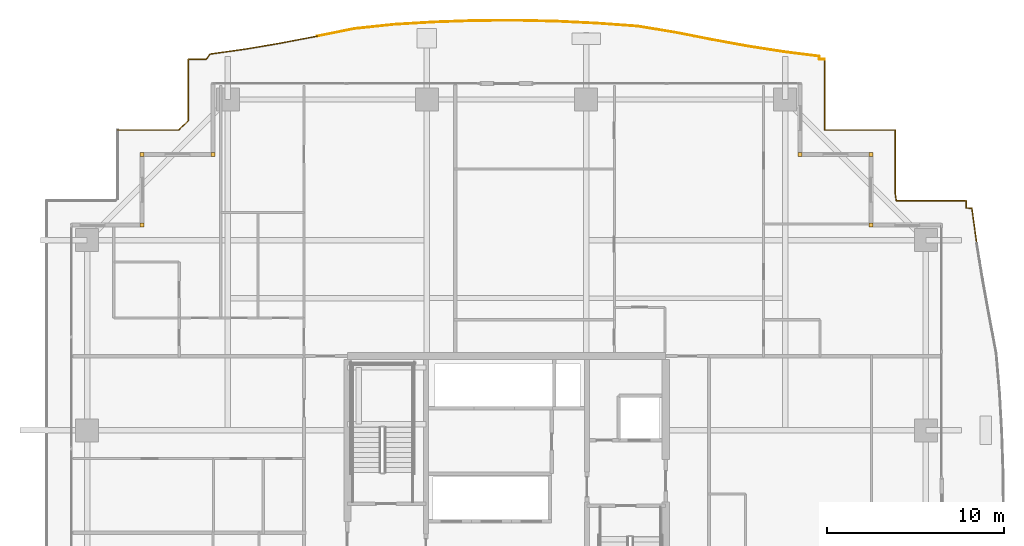
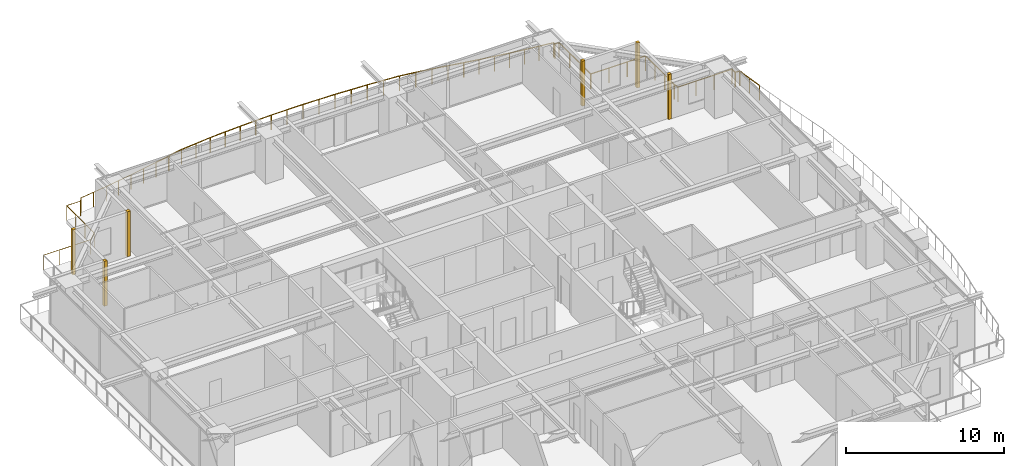
# One storey, part 33 of 33: 6 coverings, 4 railings.
"""IFC4 building model written with IfcOpenShell, lengths in metres."""

from ifc_helpers import new_model, si_unit, direction, frame, origin, origin_2d, place, context, subcontext, project, spatial, rectangle, circle, extrude, source, transform, mapped, material, layer, layer_set, type_object, element, save


model = new_model("IFC4")

# Units and contexts
model_context = context("Model", 3, precision=1e-05, world=origin(), true_north=direction((0.0, 1.0)))
body_context = subcontext(model_context, "Body", "Model", "MODEL_VIEW")
ifc_project = project(units=[si_unit("LENGTHUNIT", "METRE"), si_unit("AREAUNIT", "SQUARE_METRE"), si_unit("VOLUMEUNIT", "CUBIC_METRE"), si_unit("PLANEANGLEUNIT", "RADIAN"), si_unit("MASSUNIT", "GRAM", prefix="KILO")], contexts=[model_context])

# Site, building, storey
site_placement = place(None, origin())
site = spatial("IfcSite", under=ifc_project, at=site_placement, CompositionType="ELEMENT")
building_placement = place(site_placement, origin())
building = spatial("IfcBuilding", under=site, at=building_placement, Name="Serunith Strait Residences", CompositionType="ELEMENT")
storey_placement = place(building_placement, frame((0.0, 0.0, 165.14990234375)))
storey = spatial("IfcBuildingStorey", under=building, at=storey_placement, Name="L41", CompositionType="ELEMENT", Elevation=165.14990234375)

# Railings
ifc_material_1 = material(Name="Stainless Steel & Laminated Glass Balustrade", Category="steel")
railing_type = type_object("IfcRailingType", Name="RLG-BALC-1150", PredefinedType="BALUSTRADE", material=ifc_material_1)
railing_1_placement = place(storey_placement, frame((10.419921875, 46.3798828125, -0.0498046875)))
element("IfcRailing", 1, at=railing_1_placement, inside=storey, type_object=railing_type, Name="L41 Swirling Balcony Perimeter Balustrade 1", PredefinedType="BALUSTRADE", context=body_context, shape_type="SweptSolid", body=[
    extrude(circle(Radius=0.02392578125, at=origin_2d()), frame((0.001953125, 0.0, 1.1259765625), z_axis=(1.0, 0.0, 0.0), x_axis=(0.0, 1.0, 0.0)), (0.0, 0.0, 1.0), 3.44775390625),
    extrude(circle(Radius=0.02392578125, at=origin_2d()), frame((3.453125, 0.00146484375, 1.1259765625), z_axis=(0.719809979526, 0.694171155678, 0.0), x_axis=(-0.694171155678, 0.719809979526, 0.0)), (0.0, 0.0, 1.0), 0.7578125),
    extrude(circle(Radius=0.02392578125, at=origin_2d()), frame((4.0, 0.53076171875, 1.1259765625), z_axis=(0.0, 1.0, 0.0), x_axis=(-1.0, 0.0, 0.0)), (0.0, 0.0, 1.0), 3.46728515625),
    extrude(circle(Radius=0.02392578125, at=origin_2d()), frame((4.001953125, 4.0, 1.1259765625), z_axis=(1.0, 0.0, 0.0), x_axis=(0.0, 1.0, 0.0)), (0.0, 0.0, 1.0), 1.0048828125),
    extrude(circle(Radius=0.02392578125, at=origin_2d()), frame((5.010009765625, 4.001708984375, 1.1259765625), z_axis=(0.580457242092, 0.814290728243, 0.0), x_axis=(-0.814290728243, 0.580457242092, 0.0)), (0.0, 0.0, 1.0), 0.35107421875),
    extrude(circle(Radius=0.02392578125, at=origin_2d()), frame((5.216796875, 4.289306640625, 1.1259765625), z_axis=(0.990242747995, 0.139353148666, 0.0), x_axis=(-0.139353148666, 0.990242747995, 0.0)), (0.0, 0.0, 1.0), 2.012451171875),
    extrude(circle(Radius=0.02392578125, at=origin_2d()), frame((7.213623046875, 4.5703125, 1.1259765625), z_axis=(0.985977559446, 0.166877956209, 0.0), x_axis=(-0.166877956209, 0.985977559446, 0.0)), (0.0, 0.0, 1.0), 2.039794921875),
    extrude(circle(Radius=0.02392578125, at=origin_2d()), frame((9.228759765625, 4.91162109375, 1.1259765625), z_axis=(0.982143708939, 0.188132227411, 0.0), x_axis=(-0.188132227411, 0.982143708939, 0.0)), (0.0, 0.0, 1.0), 2.085205078125),
    extrude(circle(Radius=0.02099609375, at=origin_2d()), origin(), (0.0, 0.0, 1.0), 1.099853515625),
    extrude(circle(Radius=0.02099609375, at=origin_2d()), frame((1.150634765625, 0.0, 0.0)), (0.0, 0.0, 1.0), 1.099853515625),
    extrude(circle(Radius=0.02099609375, at=origin_2d()), frame((2.301025390625, 0.0, 0.0)), (0.0, 0.0, 1.0), 1.099853515625),
    extrude(circle(Radius=0.02099609375, at=origin_2d()), frame((3.45166015625, 0.0, 0.0)), (0.0, 0.0, 1.0), 1.099853515625),
    extrude(circle(Radius=0.02099609375, at=origin_2d()), frame((4.0, 0.52880859375, 0.0)), (0.0, 0.0, 1.0), 1.099853515625),
    extrude(circle(Radius=0.02099609375, at=origin_2d()), frame((4.0, 1.685791015625, 0.0)), (0.0, 0.0, 1.0), 1.099853515625),
    extrude(circle(Radius=0.02099609375, at=origin_2d()), frame((4.0, 2.843017578125, 0.0)), (0.0, 0.0, 1.0), 1.099853515625),
    extrude(circle(Radius=0.02099609375, at=origin_2d()), frame((4.0, 4.0, 0.0)), (0.0, 0.0, 1.0), 1.099853515625),
    extrude(circle(Radius=0.02099609375, at=origin_2d()), frame((5.0087890625, 4.0, 0.0)), (0.0, 0.0, 1.0), 1.099853515625),
    extrude(circle(Radius=0.02099609375, at=origin_2d()), frame((5.21484375, 4.2890625, 0.0)), (0.0, 0.0, 1.0), 1.099853515625),
    extrude(circle(Radius=0.02099609375, at=origin_2d()), frame((6.21337890625, 4.4296875, 0.0)), (0.0, 0.0, 1.0), 1.099853515625),
    extrude(circle(Radius=0.02099609375, at=origin_2d()), frame((7.211669921875, 4.570068359375, 0.0)), (0.0, 0.0, 1.0), 1.099853515625),
    extrude(circle(Radius=0.02099609375, at=origin_2d()), frame((8.21923828125, 4.74072265625, 0.0)), (0.0, 0.0, 1.0), 1.099853515625),
    extrude(circle(Radius=0.02099609375, at=origin_2d()), frame((9.226806640625, 4.9111328125, 0.0)), (0.0, 0.0, 1.0), 1.099853515625),
    extrude(circle(Radius=0.02099609375, at=origin_2d()), frame((10.2529296875, 5.107666015625, 0.0)), (0.0, 0.0, 1.0), 1.099853515625),
    extrude(circle(Radius=0.02099609375, at=origin_2d()), frame((11.27880859375, 5.30419921875, 0.0)), (0.0, 0.0, 1.0), 1.099853515625),
])
railing_2_placement = place(storey_placement, frame((21.69873046875, 51.68408203125, -0.0498046875)))
element("IfcRailing", 2, at=railing_2_placement, inside=storey, type_object=railing_type, Name="L41 Swirling Balcony Perimeter Balustrade 2", PredefinedType="BALUSTRADE", context=body_context, shape_type="SweptSolid", body=[
    extrude(circle(Radius=0.02392578125, at=origin_2d()), frame((0.001953125, 0.00048828125, 1.1259765625), z_axis=(0.98065045233, 0.195766928627, 0.0), x_axis=(-0.195766928627, 0.98065045233, 0.0)), (0.0, 0.0, 1.0), 2.147216796875),
    extrude(circle(Radius=0.02392578125, at=origin_2d()), frame((2.111572265625, 0.42138671875, 1.1259765625), z_axis=(0.994391844093, 0.105758500376, 0.0), x_axis=(-0.105758500376, 0.994391844093, 0.0)), (0.0, 0.0, 1.0), 2.23291015625),
    extrude(circle(Radius=0.02392578125, at=origin_2d()), frame((4.3359375, 0.65771484375, 1.1259765625), z_axis=(0.998218626253, 0.05966216725, 0.0), x_axis=(-0.05966216725, 0.998218626253, 0.0)), (0.0, 0.0, 1.0), 2.279296875),
    extrude(circle(Radius=0.02392578125, at=origin_2d()), frame((6.615234375, 0.7939453125, 1.1259765625), z_axis=(0.999405119533, 0.034487781197, 0.0), x_axis=(-0.034487781197, 0.999405119533, 0.0)), (0.0, 0.0, 1.0), 2.3037109375),
    extrude(circle(Radius=0.02392578125, at=origin_2d()), frame((8.921630859375, 0.87353515625, 1.1259765625), z_axis=(0.99998069899, 0.006213022456, 0.0), x_axis=(-0.006213022456, 0.99998069899, 0.0)), (0.0, 0.0, 1.0), 2.314453125),
    extrude(circle(Radius=0.02392578125, at=origin_2d()), frame((11.239990234375, 0.887939453125, 1.1259765625), z_axis=(0.999745147004, -0.022575230712, 0.0), x_axis=(0.022575230712, 0.999745147004, 0.0)), (0.0, 0.0, 1.0), 2.310302734375),
    extrude(circle(Radius=0.02392578125, at=origin_2d()), frame((13.5537109375, 0.835693359375, 1.1259765625), z_axis=(0.998787872712, -0.04922179724, 0.0), x_axis=(0.04922179724, 0.998787872712, 0.0)), (0.0, 0.0, 1.0), 2.29248046875),
    extrude(circle(Radius=0.02392578125, at=origin_2d()), frame((15.847412109375, 0.722412109375, 1.1259765625), z_axis=(0.997423586424, -0.071736944769, 0.0), x_axis=(0.071736944769, 0.997423586424, 0.0)), (0.0, 0.0, 1.0), 2.2626953125),
    extrude(circle(Radius=0.02099609375, at=origin_2d()), origin(), (0.0, 0.0, 1.0), 1.099853515625),
    extrude(circle(Radius=0.02099609375, at=origin_2d()), frame((1.0546875, 0.21044921875, 0.0)), (0.0, 0.0, 1.0), 1.099853515625),
    extrude(circle(Radius=0.02099609375, at=origin_2d()), frame((2.109619140625, 0.421142578125, 0.0)), (0.0, 0.0, 1.0), 1.099853515625),
    extrude(circle(Radius=0.02099609375, at=origin_2d()), frame((3.2216796875, 0.53955078125, 0.0)), (0.0, 0.0, 1.0), 1.099853515625),
    extrude(circle(Radius=0.02099609375, at=origin_2d()), frame((4.333984375, 0.65771484375, 0.0)), (0.0, 0.0, 1.0), 1.099853515625),
    extrude(circle(Radius=0.02099609375, at=origin_2d()), frame((5.4736328125, 0.725830078125, 0.0)), (0.0, 0.0, 1.0), 1.099853515625),
    extrude(circle(Radius=0.02099609375, at=origin_2d()), frame((6.61328125, 0.7939453125, 0.0)), (0.0, 0.0, 1.0), 1.099853515625),
    extrude(circle(Radius=0.02099609375, at=origin_2d()), frame((7.7666015625, 0.833740234375, 0.0)), (0.0, 0.0, 1.0), 1.099853515625),
    extrude(circle(Radius=0.02099609375, at=origin_2d()), frame((8.919677734375, 0.87353515625, 0.0)), (0.0, 0.0, 1.0), 1.099853515625),
    extrude(circle(Radius=0.02099609375, at=origin_2d()), frame((10.078857421875, 0.880859375, 0.0)), (0.0, 0.0, 1.0), 1.099853515625),
    extrude(circle(Radius=0.02099609375, at=origin_2d()), frame((11.238037109375, 0.887939453125, 0.0)), (0.0, 0.0, 1.0), 1.099853515625),
    extrude(circle(Radius=0.02099609375, at=origin_2d()), frame((12.39501953125, 0.86181640625, 0.0)), (0.0, 0.0, 1.0), 1.099853515625),
    extrude(circle(Radius=0.02099609375, at=origin_2d()), frame((13.5517578125, 0.835693359375, 0.0)), (0.0, 0.0, 1.0), 1.099853515625),
    extrude(circle(Radius=0.02099609375, at=origin_2d()), frame((14.69873046875, 0.779296875, 0.0)), (0.0, 0.0, 1.0), 1.099853515625),
    extrude(circle(Radius=0.02099609375, at=origin_2d()), frame((15.845458984375, 0.72265625, 0.0)), (0.0, 0.0, 1.0), 1.099853515625),
    extrude(circle(Radius=0.02099609375, at=origin_2d()), frame((16.975830078125, 0.641357421875, 0.0)), (0.0, 0.0, 1.0), 1.099853515625),
    extrude(circle(Radius=0.02099609375, at=origin_2d()), frame((18.106201171875, 0.56005859375, 0.0)), (0.0, 0.0, 1.0), 1.099853515625),
])
railing_3_placement = place(storey_placement, frame((39.804931640625, 52.244140625, -0.0498046875)))
element("IfcRailing", 3, at=railing_3_placement, inside=storey, type_object=railing_type, Name="L41 Swirling Balcony Perimeter Balustrade 3", PredefinedType="BALUSTRADE", context=body_context, shape_type="SweptSolid", body=[
    extrude(circle(Radius=0.02392578125, at=origin_2d()), frame((0.001953125, -0.000244140625, 1.1259765625), z_axis=(0.986758527005, -0.162196206436, 0.0), x_axis=(0.162196206436, 0.986758527005, 0.0)), (0.0, 0.0, 1.0), 2.189208984375),
    extrude(circle(Radius=0.02392578125, at=origin_2d()), frame((2.166015625, -0.356201171875, 1.1259765625), z_axis=(0.980955493427, -0.194232643795, 0.0), x_axis=(0.194232643795, 0.980955493427, 0.0)), (0.0, 0.0, 1.0), 2.115234375),
    extrude(circle(Radius=0.02392578125, at=origin_2d()), frame((4.244873046875, -0.767578125, 1.1259765625), z_axis=(0.983892601936, -0.178760588095, 0.0), x_axis=(0.178760588095, 0.983892601936, 0.0)), (0.0, 0.0, 1.0), 2.06103515625),
    extrude(circle(Radius=0.02392578125, at=origin_2d()), frame((6.276611328125, -1.13671875, 1.1259765625), z_axis=(0.988155029591, -0.153458911416, 0.0), x_axis=(0.153458911416, 0.988155029591, 0.0)), (0.0, 0.0, 1.0), 2.0244140625),
    extrude(circle(Radius=0.02392578125, at=origin_2d()), frame((8.281005859375, -1.447998046875, 1.1259765625), z_axis=(0.99213703782, -0.125156295034, 0.0), x_axis=(0.125156295034, 0.99213703782, 0.0)), (0.0, 0.0, 1.0), 2.005126953125),
    extrude(circle(Radius=0.02392578125, at=origin_2d()), frame((10.2724609375, -1.701171875, 1.1259765625), z_axis=(-0.007396247392, -0.999972647388, 0.0), x_axis=(0.999972647388, -0.007396247392, 0.0)), (0.0, 0.0, 1.0), 0.1611328125),
    extrude(circle(Radius=0.02392578125, at=origin_2d()), frame((10.273193359375, -1.8642578125, 1.1259765625), z_axis=(1.0, 0.0, 0.0), x_axis=(0.0, 1.0, 0.0)), (0.0, 0.0, 1.0), 0.2998046875),
    extrude(circle(Radius=0.02099609375, at=origin_2d()), origin(), (0.0, 0.0, 1.0), 1.099853515625),
    extrude(circle(Radius=0.02099609375, at=origin_2d()), frame((1.08203125, -0.177734375, 0.0)), (0.0, 0.0, 1.0), 1.099853515625),
    extrude(circle(Radius=0.02099609375, at=origin_2d()), frame((2.1640625, -0.355712890625, 0.0)), (0.0, 0.0, 1.0), 1.099853515625),
    extrude(circle(Radius=0.02099609375, at=origin_2d()), frame((3.20361328125, -0.5615234375, 0.0)), (0.0, 0.0, 1.0), 1.099853515625),
    extrude(circle(Radius=0.02099609375, at=origin_2d()), frame((4.242919921875, -0.767333984375, 0.0)), (0.0, 0.0, 1.0), 1.099853515625),
    extrude(circle(Radius=0.02099609375, at=origin_2d()), frame((5.2587890625, -0.951904296875, 0.0)), (0.0, 0.0, 1.0), 1.099853515625),
    extrude(circle(Radius=0.02099609375, at=origin_2d()), frame((6.274658203125, -1.136474609375, 0.0)), (0.0, 0.0, 1.0), 1.099853515625),
    extrude(circle(Radius=0.02099609375, at=origin_2d()), frame((7.27685546875, -1.2919921875, 0.0)), (0.0, 0.0, 1.0), 1.099853515625),
    extrude(circle(Radius=0.02099609375, at=origin_2d()), frame((8.279052734375, -1.44775390625, 0.0)), (0.0, 0.0, 1.0), 1.099853515625),
    extrude(circle(Radius=0.02099609375, at=origin_2d()), frame((9.27587890625, -1.573486328125, 0.0)), (0.0, 0.0, 1.0), 1.099853515625),
    extrude(circle(Radius=0.02099609375, at=origin_2d()), frame((10.2724609375, -1.69921875, 0.0)), (0.0, 0.0, 1.0), 1.099853515625),
    extrude(circle(Radius=0.02099609375, at=origin_2d()), frame((10.271240234375, -1.8642578125, 0.0)), (0.0, 0.0, 1.0), 1.099853515625),
    extrude(circle(Radius=0.02099609375, at=origin_2d()), frame((10.574951171875, -1.8642578125, 0.0)), (0.0, 0.0, 1.0), 1.099853515625),
])
railing_4_placement = place(storey_placement, frame((50.3798828125, 50.3798828125, -0.0498046875)))
element("IfcRailing", 4, at=railing_4_placement, inside=storey, type_object=railing_type, Name="L41 Swirling Balcony Perimeter Balustrade 4", PredefinedType="BALUSTRADE", context=body_context, shape_type="SweptSolid", body=[
    extrude(circle(Radius=0.02392578125, at=origin_2d()), frame((0.0, -0.001953125, 1.1259765625), z_axis=(0.0, -1.0, 0.0), x_axis=(1.0, 0.0, 0.0)), (0.0, 0.0, 1.0), 3.99609375),
    extrude(circle(Radius=0.02392578125, at=origin_2d()), frame((0.001953125, -4.0, 1.1259765625), z_axis=(1.0, 0.0, 0.0), x_axis=(0.0, 1.0, 0.0)), (0.0, 0.0, 1.0), 3.99609375),
    extrude(circle(Radius=0.02392578125, at=origin_2d()), frame((4.0, -4.001953125, 1.1259765625), z_axis=(0.0, -1.0, 0.0), x_axis=(1.0, 0.0, 0.0)), (0.0, 0.0, 1.0), 3.634033203125),
    extrude(circle(Radius=0.02392578125, at=origin_2d()), frame((4.000244140625, -7.639892578125, 1.1259765625), z_axis=(0.145436371103, -0.989367607091, 0.0), x_axis=(0.989367607091, 0.145436371103, 0.0)), (0.0, 0.0, 1.0), 0.362060546875),
    extrude(circle(Radius=0.02392578125, at=origin_2d()), frame((4.05517578125, -8.0, 1.1259765625), z_axis=(1.0, 0.0, 0.0), x_axis=(0.0, 1.0, 0.0)), (0.0, 0.0, 1.0), 3.94287109375),
    extrude(circle(Radius=0.02392578125, at=origin_2d()), frame((8.0, -8.001953125, 1.1259765625), z_axis=(0.0, -1.0, 0.0), x_axis=(1.0, 0.0, 0.0)), (0.0, 0.0, 1.0), 0.404052734375),
    extrude(circle(Radius=0.02392578125, at=origin_2d()), frame((8.001953125, -8.407958984375, 1.1259765625), z_axis=(0.998340768503, -0.057582201629, 0.0), x_axis=(0.057582201629, 0.998340768503, 0.0)), (0.0, 0.0, 1.0), 0.322509765625),
    extrude(circle(Radius=0.02392578125, at=origin_2d()), frame((8.326171875, -8.4287109375, 1.1259765625), z_axis=(0.136923400533, -0.990581638426, 0.0), x_axis=(0.990581638426, 0.136923400533, 0.0)), (0.0, 0.0, 1.0), 2.01806640625),
    extrude(circle(Radius=0.02099609375, at=origin_2d()), origin(), (0.0, 0.0, 1.0), 1.099853515625),
    extrude(circle(Radius=0.02099609375, at=origin_2d()), frame((0.0, -1.333251953125, 0.0)), (0.0, 0.0, 1.0), 1.099853515625),
    extrude(circle(Radius=0.02099609375, at=origin_2d()), frame((0.0, -2.666748046875, 0.0)), (0.0, 0.0, 1.0), 1.099853515625),
    extrude(circle(Radius=0.02099609375, at=origin_2d()), frame((0.0, -4.0, 0.0)), (0.0, 0.0, 1.0), 1.099853515625),
    extrude(circle(Radius=0.02099609375, at=origin_2d()), frame((1.333251953125, -4.0, 0.0)), (0.0, 0.0, 1.0), 1.099853515625),
    extrude(circle(Radius=0.02099609375, at=origin_2d()), frame((2.666748046875, -4.0, 0.0)), (0.0, 0.0, 1.0), 1.099853515625),
    extrude(circle(Radius=0.02099609375, at=origin_2d()), frame((4.0, -4.0, 0.0)), (0.0, 0.0, 1.0), 1.099853515625),
    extrude(circle(Radius=0.02099609375, at=origin_2d()), frame((4.0, -5.212646484375, 0.0)), (0.0, 0.0, 1.0), 1.099853515625),
    extrude(circle(Radius=0.02099609375, at=origin_2d()), frame((4.0, -6.42529296875, 0.0)), (0.0, 0.0, 1.0), 1.099853515625),
    extrude(circle(Radius=0.02099609375, at=origin_2d()), frame((4.0, -7.637939453125, 0.0)), (0.0, 0.0, 1.0), 1.099853515625),
    extrude(circle(Radius=0.02099609375, at=origin_2d()), frame((4.05322265625, -8.0, 0.0)), (0.0, 0.0, 1.0), 1.099853515625),
    extrude(circle(Radius=0.02099609375, at=origin_2d()), frame((5.368896484375, -8.0, 0.0)), (0.0, 0.0, 1.0), 1.099853515625),
    extrude(circle(Radius=0.02099609375, at=origin_2d()), frame((6.684326171875, -8.0, 0.0)), (0.0, 0.0, 1.0), 1.099853515625),
    extrude(circle(Radius=0.02099609375, at=origin_2d()), frame((8.0, -8.0, 0.0)), (0.0, 0.0, 1.0), 1.099853515625),
    extrude(circle(Radius=0.02099609375, at=origin_2d()), frame((8.0, -8.407958984375, 0.0)), (0.0, 0.0, 1.0), 1.099853515625),
    extrude(circle(Radius=0.02099609375, at=origin_2d()), frame((8.325927734375, -8.4267578125, 0.0)), (0.0, 0.0, 1.0), 1.099853515625),
    extrude(circle(Radius=0.02099609375, at=origin_2d()), frame((8.46435546875, -9.42822265625, 0.0)), (0.0, 0.0, 1.0), 1.099853515625),
    extrude(circle(Radius=0.02099609375, at=origin_2d()), frame((8.602783203125, -10.4296875, 0.0)), (0.0, 0.0, 1.0), 1.099853515625),
])

# Coverings
ifc_material_2 = material(Name="Pale-Champagne Anodised Aluminium", Category="aluminium")
ifc_layer = layer(ifc_material_2, 0.219970703125, Name="Pale-Champagne Anodised Aluminium")
ifc_layer_set = layer_set([ifc_layer], Name="Pale-Champagne Anodised Aluminium")
covering_type = type_object("IfcCoveringType", Name="COV-CORN-TRIM", PredefinedType="CLADDING", material=ifc_layer_set)
shared_shape = source(origin(), body_context, "Body", "SweptSolid", [
    extrude(rectangle(XDim=0.221923828125, YDim=0.221923828125, at=origin_2d()), origin(), (0.0, 0.0, 1.0), 3.47509765625),
])
for number, where, z_axis, x_axis, name in (
    (5, (53.0, 41.0, 0.0), (0.0, 0.0, 1.0), (1.0, 0.0, 0.0), "L41 Girih Serrated Corner Trim Post 07"),
    (6, (53.0, 45.0, 0.0), (0.0, 0.0, 1.0), (1.0, 0.0, 0.0), "L41 Girih Serrated Corner Trim Post 08"),
    (7, (49.0, 45.0, 0.0), (0.0, 0.0, 1.0), (1.0, 0.0, 0.0), "L41 Girih Serrated Corner Trim Post 09"),
    (8, (15.800048828125, 45.0, 0.0), (0.0, 0.0, 1.0), (1.0, 0.0, 0.0), "L41 Girih Serrated Corner Trim Post 12"),
    (9, (11.800048828125, 45.0, 0.0), (0.0, 0.0, 1.0), (1.0, 0.0, 0.0), "L41 Girih Serrated Corner Trim Post 13"),
    (10, (11.800048828125, 41.0, 0.0), (0.0, 0.0, 1.0), (1.0, 0.0, 0.0), "L41 Girih Serrated Corner Trim Post 14"),
):
    element("IfcCovering", number, at=place(storey_placement, frame(where, z_axis=z_axis, x_axis=x_axis)), inside=storey, type_object=covering_type, Name=name, PredefinedType="CLADDING", context=body_context, shape_type="MappedRepresentation", body=[
        mapped(shared_shape, transform((0.0, 0.0, 0.0), scale=1.0)),
    ])

save(model, "model.ifc")
